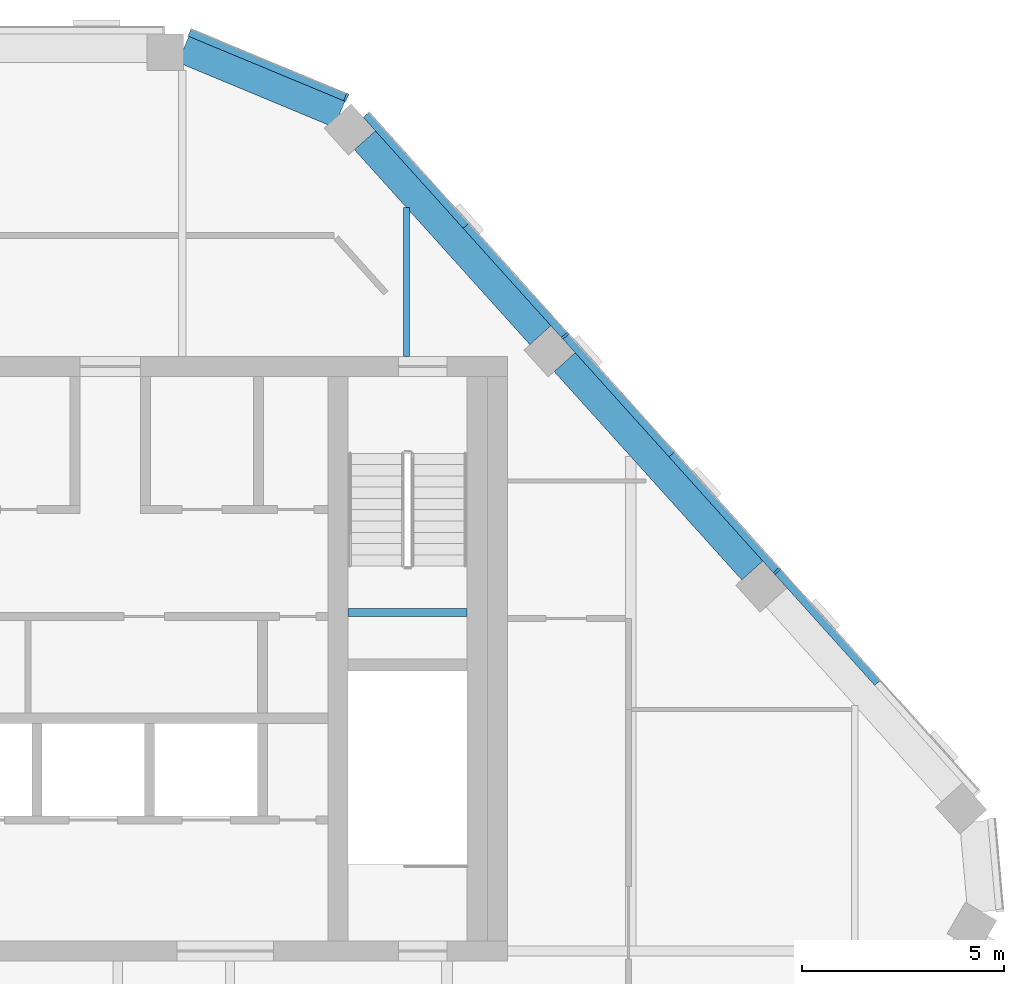
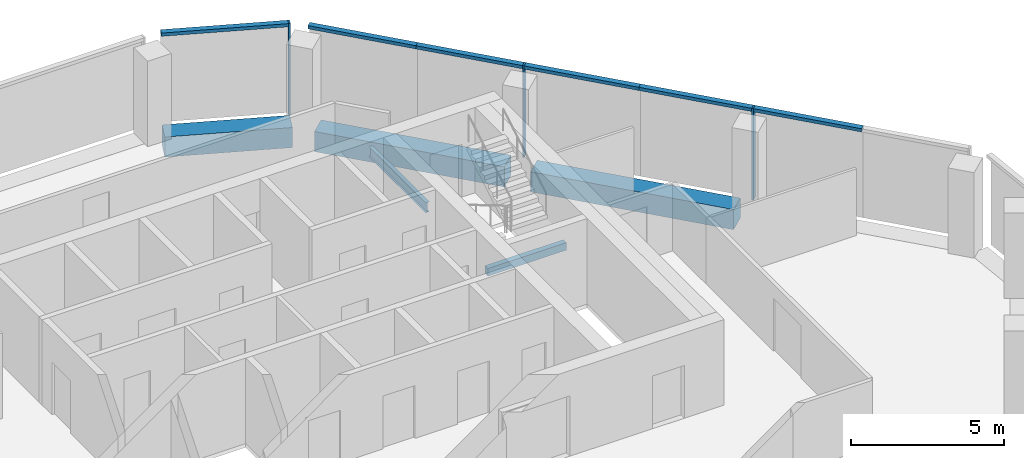
# One storey, part 6 of 13: 9 members, 5 beams, 2 elements without a shape of their own.
"""IFC4 building model written with IfcOpenShell, lengths in metres."""

from ifc_helpers import new_model, si_unit, direction, frame, origin, origin_2d, place, context, subcontext, project, spatial, rectangle, i_section, extrude, material, layer, layer_set, material_profile, profile_set, type_object, element, aggregate, save


model = new_model("IFC4")

# Units and contexts
model_context = context("Model", 3, precision=1e-05, world=origin(), true_north=direction((0.0, 1.0)))
body_context = subcontext(model_context, "Body", "Model", "MODEL_VIEW")
ifc_project = project(units=[si_unit("LENGTHUNIT", "METRE"), si_unit("AREAUNIT", "SQUARE_METRE"), si_unit("VOLUMEUNIT", "CUBIC_METRE"), si_unit("PLANEANGLEUNIT", "RADIAN"), si_unit("MASSUNIT", "GRAM", prefix="KILO")], contexts=[model_context])

# Site, building, storey
site_placement = place(None, origin())
site = spatial("IfcSite", under=ifc_project, at=site_placement, CompositionType="ELEMENT")
building_placement = place(site_placement, origin())
building = spatial("IfcBuilding", under=site, at=building_placement, Name="Isthmus Gate Tower", CompositionType="ELEMENT")
storey_placement = place(building_placement, frame((0.0, 0.0, 297.449951171875)))
storey = spatial("IfcBuildingStorey", under=building, at=storey_placement, Name="L76", CompositionType="ELEMENT", Elevation=297.449951171875)

# Curtain wall, members
ifc_material_1 = material(Name="Aluminium, pale champagne anodised", Category="aluminium")
ifc_layer = layer(ifc_material_1, 0.199951171875)
ifc_layer_set = layer_set([ifc_layer], Name="CW-1 UNITISED CURTAIN WALL 200 DEEP")
curtain_wall_type = type_object("IfcCurtainWallType", Name="CW-1 UNITISED CURTAIN WALL 200 DEEP", PredefinedType="NOTDEFINED", material=ifc_layer_set)
curtain_wall_1_placement = place(storey_placement, origin())
curtain_wall_1 = element("IfcCurtainWall", 1, at=curtain_wall_1_placement, inside=storey, type_object=curtain_wall_type, Name="CW-1 NE L76", PredefinedType="NOTDEFINED")
ifc_material_2 = material(Name="Aluminium, pale champagne anodised", Category="aluminium")
ifc_material_profile_1 = material_profile(ifc_material_2, rectangle(XDim=0.06005859375, YDim=0.199951171875, at=origin_2d()), Name="60x200")
ifc_profile_set_1 = profile_set([ifc_material_profile_1], Name="Aluminium, pale champagne anodised")
member_type_1 = type_object("IfcMemberType", Name="CW-1 MULLION 60 X 200", PredefinedType="MULLION", material=ifc_profile_set_1)
member_1_placement = place(storey_placement, frame((21.69140625, 9.680419921875, 0.0), z_axis=(0.0, 0.0, 1.0), x_axis=(-0.669130606359, 0.743144825477, 0.0)))
member_1 = element("IfcMember", 2, at=member_1_placement, type_object=member_type_1, Name="CW-1 mullion", PredefinedType="MULLION", context=body_context, shape_type="SweptSolid", body=[
    extrude(rectangle(XDim=0.06005859375, YDim=0.199951171875, at=origin_2d()), origin(), (0.0, 0.0, 1.0), 3.650146484375),
])
member_2_placement = place(storey_placement, frame((16.43408203125, 15.519287109375, 0.0), z_axis=(0.0, 0.0, 1.0), x_axis=(-0.669130606359, 0.743144825477, 0.0)))
member_2 = element("IfcMember", 3, at=member_2_placement, type_object=member_type_1, Name="CW-1 mullion", PredefinedType="MULLION", context=body_context, shape_type="SweptSolid", body=[
    extrude(rectangle(XDim=0.06005859375, YDim=0.199951171875, at=origin_2d()), origin(), (0.0, 0.0, 1.0), 3.650146484375),
])

# Curtain wall, member
curtain_wall_2_placement = place(storey_placement, origin())
curtain_wall_2 = element("IfcCurtainWall", 4, at=curtain_wall_2_placement, inside=storey, type_object=curtain_wall_type, Name="CW-1 NE-N L76", PredefinedType="NOTDEFINED")
member_3_placement = place(storey_placement, frame((11.001708984375, 21.427490234375, 0.0), z_axis=(0.0, 0.0, 1.0), x_axis=(-0.923353128387, 0.383951820282, 0.0)))
member_3 = element("IfcMember", 5, at=member_3_placement, type_object=member_type_1, Name="CW-1 mullion", PredefinedType="MULLION", context=body_context, shape_type="SweptSolid", body=[
    extrude(rectangle(XDim=0.06005859375, YDim=0.199951171875, at=origin_2d()), origin(), (0.0, 0.0, 1.0), 3.650146484375),
])

# Member
ifc_material_3 = material(Name="Aluminium, pale champagne anodised", Category="aluminium")
ifc_material_profile_2 = material_profile(ifc_material_3, rectangle(XDim=0.199951171875, YDim=0.1298828125, at=origin_2d()), Name="200x130")
ifc_profile_set_2 = profile_set([ifc_material_profile_2], Name="Aluminium, pale champagne anodised")
member_type_2 = type_object("IfcMemberType", Name="CW-1 TRANSOM 200 X 130", PredefinedType="USERDEFINED", material=ifc_profile_set_2)
member_4_placement = place(storey_placement, frame((24.189453125, 6.906005859375, 3.5849609375), z_axis=(-0.669121330099, 0.743153177754, 0.0), x_axis=(-0.743153177754, -0.669121330099, 0.0)))
member_4 = element("IfcMember", 6, at=member_4_placement, type_object=member_type_2, Name="CW-1 transom", ObjectType="TRANSOM", PredefinedType="USERDEFINED", context=body_context, shape_type="SweptSolid", body=[
    extrude(rectangle(XDim=0.199951171875, YDim=0.1298828125, at=origin_2d()), origin(), (0.0, 0.0, 1.0), 3.703369140625),
])

member_5_placement = place(storey_placement, frame((21.67138671875, 9.702880859375, 3.5849609375), z_axis=(-0.669156480406, 0.743121527565, 0.0), x_axis=(-0.743121527565, -0.669156480406, 0.0)))
member_5 = element("IfcMember", 7, at=member_5_placement, type_object=member_type_2, Name="CW-1 transom", ObjectType="TRANSOM", PredefinedType="USERDEFINED", context=body_context, shape_type="SweptSolid", body=[
    extrude(rectangle(XDim=0.199951171875, YDim=0.1298828125, at=origin_2d()), origin(), (0.0, 0.0, 1.0), 3.868408203125),
])

member_6_placement = place(storey_placement, frame((19.082763671875, 12.57763671875, 3.5849609375), z_axis=(-0.669095199697, 0.743176704252, 0.0), x_axis=(-0.743176704252, -0.669095199697, 0.0)))
member_6 = element("IfcMember", 8, at=member_6_placement, type_object=member_type_2, Name="CW-1 transom", ObjectType="TRANSOM", PredefinedType="USERDEFINED", context=body_context, shape_type="SweptSolid", body=[
    extrude(rectangle(XDim=0.199951171875, YDim=0.1298828125, at=origin_2d()), origin(), (0.0, 0.0, 1.0), 3.92822265625),
])

member_7_placement = place(storey_placement, frame((16.4140625, 15.54150390625, 3.5849609375), z_axis=(-0.669116497993, 0.743157528464, 0.0), x_axis=(-0.743157528464, -0.669116497993, 0.0)))
member_7 = element("IfcMember", 9, at=member_7_placement, type_object=member_type_2, Name="CW-1 transom", ObjectType="TRANSOM", PredefinedType="USERDEFINED", context=body_context, shape_type="SweptSolid", body=[
    extrude(rectangle(XDim=0.199951171875, YDim=0.1298828125, at=origin_2d()), origin(), (0.0, 0.0, 1.0), 3.6435546875),
])

member_8_placement = place(storey_placement, frame((13.97607421875, 18.249267578125, 3.5849609375), z_axis=(-0.669154112043, 0.743123660192, 0.0), x_axis=(-0.743123660192, -0.669154112043, 0.0)))
member_8 = element("IfcMember", 10, at=member_8_placement, type_object=member_type_2, Name="CW-1 transom", ObjectType="TRANSOM", PredefinedType="USERDEFINED", context=body_context, shape_type="SweptSolid", body=[
    extrude(rectangle(XDim=0.199951171875, YDim=0.1298828125, at=origin_2d()), origin(), (0.0, 0.0, 1.0), 3.703125),
])

aggregate(curtain_wall_1, [member_4, member_1, member_5, member_6, member_2, member_7, member_8])

member_9_placement = place(storey_placement, frame((10.97412109375, 21.43896484375, 3.5849609375), z_axis=(-0.923358236369, 0.383939536033, 0.0), x_axis=(-0.383939536033, -0.923358236369, 0.0)))
member_9 = element("IfcMember", 11, at=member_9_placement, type_object=member_type_2, Name="CW-1 transom", ObjectType="TRANSOM", PredefinedType="USERDEFINED", context=body_context, shape_type="SweptSolid", body=[
    extrude(rectangle(XDim=0.199951171875, YDim=0.1298828125, at=origin_2d()), origin(), (0.0, 0.0, 1.0), 4.181640625),
])

aggregate(curtain_wall_2, [member_3, member_9])

# Beams
ifc_material_4 = material(Name="Concrete f'c 50 MPa", Category="concrete")
ifc_material_profile_3 = material_profile(ifc_material_4, rectangle(XDim=0.699951171875, YDim=0.800048828125, at=origin_2d()), Name="RC 700X800")
ifc_profile_set_3 = profile_set([ifc_material_profile_3], Name="Concrete f'c 50 MPa")
beam_type_1 = type_object("IfcBeamType", Name="RC SPANDREL 700 X 800", PredefinedType="SPANDREL", material=ifc_profile_set_3)
beam_1_placement = place(storey_placement, frame((6.95947265625, 22.620849609375, -0.39990234375), z_axis=(0.923360646135, -0.383933740597, 0.0), x_axis=(0.383933740597, 0.923360646135, 0.0)))
element("IfcBeam", 12, at=beam_1_placement, inside=storey, type_object=beam_type_1, Name="str-spandrel-L76-00", PredefinedType="SPANDREL", context=body_context, shape_type="SweptSolid", body=[
    extrude(rectangle(XDim=0.699951171875, YDim=0.800048828125, at=origin_2d()), origin(), (0.0, 0.0, 1.0), 4.19677734375),
])
beam_2_placement = place(storey_placement, frame((11.46484375, 20.36572265625, -0.39990234375), z_axis=(0.669122265754, -0.743152335307, 0.0), x_axis=(0.743152335307, 0.669122265754, 0.0)))
element("IfcBeam", 13, at=beam_2_placement, inside=storey, type_object=beam_type_1, Name="str-spandrel-L76-01", PredefinedType="SPANDREL", context=body_context, shape_type="SweptSolid", body=[
    extrude(rectangle(XDim=0.699951171875, YDim=0.800048828125, at=origin_2d()), origin(), (0.0, 0.0, 1.0), 6.506591796875),
])
beam_3_placement = place(storey_placement, frame((16.4208984375, 14.861572265625, -0.39990234375), z_axis=(0.669131458307, -0.743144058379, 0.0), x_axis=(0.743144058379, 0.669131458307, 0.0)))
element("IfcBeam", 14, at=beam_3_placement, inside=storey, type_object=beam_type_1, Name="str-spandrel-L76-02", PredefinedType="SPANDREL", context=body_context, shape_type="SweptSolid", body=[
    extrude(rectangle(XDim=0.699951171875, YDim=0.800048828125, at=origin_2d()), origin(), (0.0, 0.0, 1.0), 6.956787109375),
])
ifc_material_5 = material(Name="Concrete f'c 40 MPa", Category="concrete")
ifc_material_profile_4 = material_profile(ifc_material_5, rectangle(XDim=0.199951171875, YDim=0.300048828125, at=origin_2d()), Name="STAIR LANDING BEAM RC 200 X 300")
ifc_profile_set_4 = profile_set([ifc_material_profile_4], Name="Concrete f'c 40 MPa")
beam_type_2 = type_object("IfcBeamType", Name="STAIR LANDING BEAM RC 200 X 300", PredefinedType="BEAM", material=ifc_profile_set_4)
beam_4_placement = place(storey_placement, frame((11.050048828125, 8.64990234375, 1.47509765625), z_axis=(1.0, 0.0, 0.0), x_axis=(0.0, 1.0, 0.0)))
element("IfcBeam", 15, at=beam_4_placement, inside=storey, type_object=beam_type_2, Name="L76 ST2 landing beam 1", PredefinedType="BEAM", context=body_context, shape_type="SweptSolid", body=[
    extrude(rectangle(XDim=0.199951171875, YDim=0.300048828125, at=origin_2d()), origin(), (0.0, 0.0, 1.0), 2.949951171875),
])
ifc_material_6 = material(Name="Structural steel ASTM A992 Gr 50", Category="steel")
ifc_material_profile_5 = material_profile(ifc_material_6, i_section(OverallWidth=0.1396484375, OverallDepth=0.4033203125, WebThickness=0.00634765625, FlangeThickness=0.010986328125, at=origin_2d()), Name="W16X31")
ifc_profile_set_5 = profile_set([ifc_material_profile_5], Name="Structural steel ASTM A992 Gr 50")
beam_type_3 = type_object("IfcBeamType", Name="STEEL FLOOR BEAM W16X31", PredefinedType="JOIST", material=ifc_profile_set_5)
beam_5_placement = place(storey_placement, frame((12.49560546875, 15.0, -0.3515625), z_axis=(0.0, 1.0, 0.0), x_axis=(-1.0, 0.0, 0.0)))
element("IfcBeam", 16, at=beam_5_placement, inside=storey, type_object=beam_type_3, Name="str-beam-L76-07-05", PredefinedType="JOIST", context=body_context, shape_type="SweptSolid", body=[
    extrude(i_section(OverallWidth=0.1396484375, OverallDepth=0.4033203125, WebThickness=0.00634765625, FlangeThickness=0.010986328125, at=origin_2d()), origin(), (0.0, 0.0, 1.0), 3.69775390625),
])

save(model, "model.ifc")
